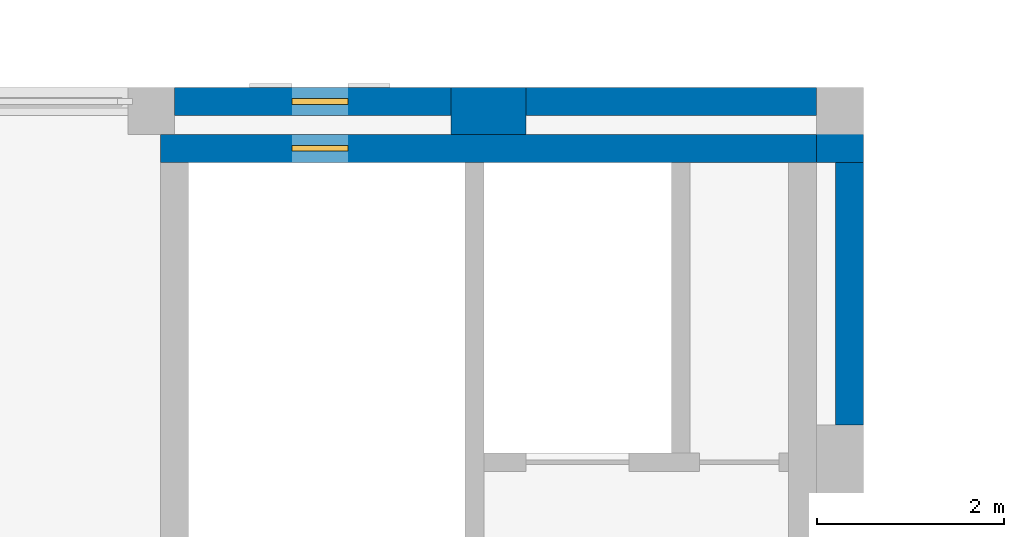
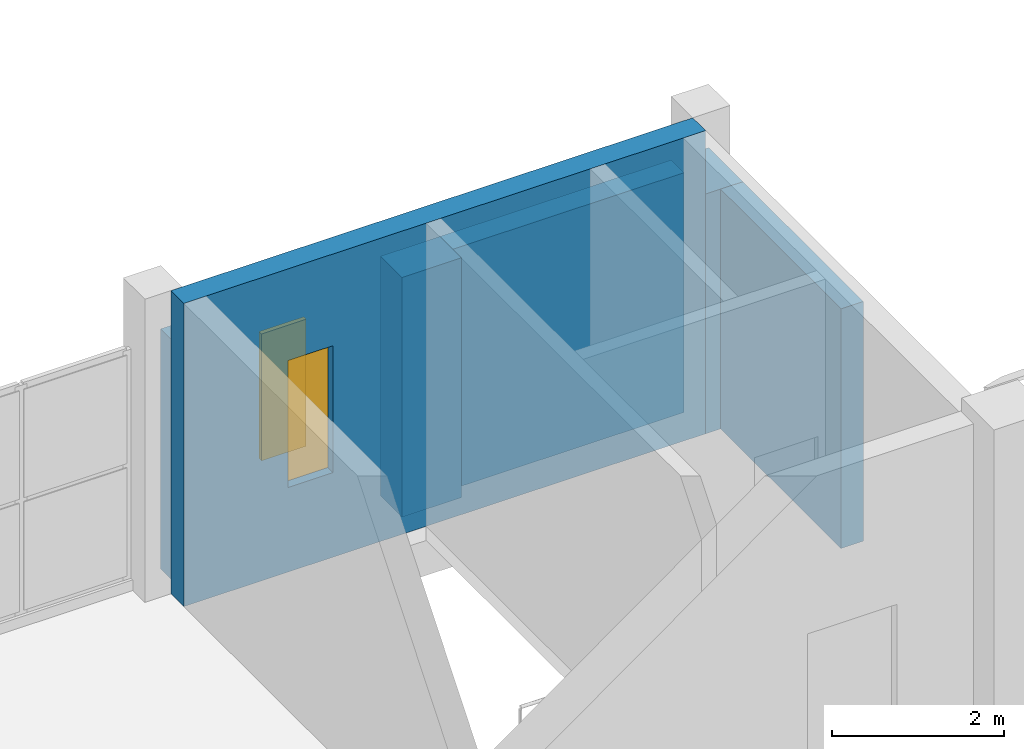
# One storey, part 23 of 54: 6 walls, 2 windows, 2 openings.
"""IFC4 building model written with IfcOpenShell, lengths in metres."""

from ifc_helpers import new_model, si_unit, direction, frame, frame_2d, origin, place, context, subcontext, project, spatial, rectangle, extrude, material, layer, layer_set, type_object, element, fill, save


model = new_model("IFC4")

# Units and contexts
model_context = context("Model", 3, precision=1e-05, world=origin(), true_north=direction((0.0, 1.0)))
body_context = subcontext(model_context, "Body", "Model", "MODEL_VIEW")
ifc_project = project(units=[si_unit("LENGTHUNIT", "METRE"), si_unit("AREAUNIT", "SQUARE_METRE"), si_unit("VOLUMEUNIT", "CUBIC_METRE"), si_unit("PLANEANGLEUNIT", "RADIAN"), si_unit("MASSUNIT", "GRAM", prefix="KILO")], contexts=[model_context])

# Site, building, storey
site_placement = place(None, origin())
site = spatial("IfcSite", under=ifc_project, at=site_placement, CompositionType="ELEMENT")
building_placement = place(site_placement, origin())
building = spatial("IfcBuilding", under=site, at=building_placement, Name="Ussher Court Research Institute", CompositionType="ELEMENT")
storey_placement = place(building_placement, frame((0.0, 0.0, 14.39990234375)))
storey = spatial("IfcBuildingStorey", under=building, at=storey_placement, Name="L03", CompositionType="ELEMENT", Elevation=14.39990234375)

# Wall, opening, window
ifc_material_1 = material(Name="Limestone facing on blockwork", Category="masonry")
ifc_layer_1 = layer(ifc_material_1, 0.300048828125)
ifc_layer_set_1 = layer_set([ifc_layer_1], Name="Limestone facing on blockwork")
wall_type_1 = type_object("IfcWallType", Name="External wall 300 stair enclosure", PredefinedType="SOLIDWALL", material=ifc_layer_set_1)
wall_1_placement = place(storey_placement, frame((75.25, 40.25, 0.0), z_axis=(0.0, 0.0, 1.0), x_axis=(1.0, 0.0, 0.0)))
wall_1 = element("IfcWall", 1, at=wall_1_placement, inside=storey, type_object=wall_type_1, Name="External wall EW5 L03", PredefinedType="SOLIDWALL", context=body_context, shape_type="SweptSolid", body=[
    extrude(rectangle(XDim=2.949951171875, YDim=0.300048828125, at=frame_2d((1.47509765625, 0.0))), origin(), (0.0, 0.0, 1.0), 3.400146484375),
])
opening_1_placement = place(wall_1_placement, frame((1.25, 0.0, 1.199951171875)))
opening_1 = element("IfcOpeningElement", 2, at=opening_1_placement, cuts=wall_1, Name="Opening W25", PredefinedType="OPENING", context=body_context, shape_type="SweptSolid", body=[
    extrude(rectangle(XDim=0.60009765625, YDim=1.800048828125, at=frame_2d((0.300048828125, 0.89990234375))), frame((0.0, 0.16015625, 0.0), z_axis=(0.0, -1.0, 0.0), x_axis=(1.0, 0.0, 0.0)), (0.0, 0.0, 1.0), 0.320068359375),
])
ifc_material_2 = material(Name="Bronze anodised aluminium with double glazing", Category="aluminium")
window_type = type_object("IfcWindowType", Name="Stair light slot window 600x1800 fire-resisting glazing", PartitioningType="SINGLE_PANEL", PredefinedType="WINDOW", material=ifc_material_2)
window_1_placement = place(opening_1_placement, origin())
window_1 = element("IfcWindow", 3, at=window_1_placement, inside=storey, type_object=window_type, Name="Window W25 L03", OverallHeight=1.800048828125, OverallWidth=0.60009765625, PartitioningType="SINGLE_PANEL", PredefinedType="WINDOW", context=body_context, shape_type="SweptSolid", body=[
    extrude(rectangle(XDim=0.60009765625, YDim=1.800048828125, at=frame_2d((0.300048828125, 0.89990234375))), frame((0.0, 0.030029296875, 0.0), z_axis=(0.0, -1.0, 0.0), x_axis=(1.0, 0.0, 0.0)), (0.0, 0.0, 1.0), 0.06005859375),
])
fill(opening_1, window_1)

# Walls
wall_2_placement = place(storey_placement, frame((79.0, 40.25, 0.0), z_axis=(0.0, 0.0, 1.0), x_axis=(1.0, 0.0, 0.0)))
element("IfcWall", 4, at=wall_2_placement, inside=storey, type_object=wall_type_1, Name="External wall EW5 L03", PredefinedType="SOLIDWALL", context=body_context, shape_type="SweptSolid", body=[
    extrude(rectangle(XDim=3.10009765625, YDim=0.300048828125, at=frame_2d((1.550048828125, 0.0))), origin(), (0.0, 0.0, 1.0), 3.400146484375),
])
wall_3_placement = place(storey_placement, frame((82.449951171875, 39.60009765625, 0.0), z_axis=(0.0, 0.0, 1.0), x_axis=(0.0, -1.0, 0.0)))
element("IfcWall", 5, at=wall_3_placement, inside=storey, type_object=wall_type_1, Name="External wall EW5 L03", PredefinedType="SOLIDWALL", context=body_context, shape_type="SweptSolid", body=[
    extrude(rectangle(XDim=2.800048828125, YDim=0.300048828125, at=frame_2d((1.39990234375, 0.0))), origin(), (0.0, 0.0, 1.0), 3.400146484375),
])
ifc_material_3 = material(Name="Rusticated limestone facing on blockwork", Category="masonry")
ifc_layer_2 = layer(ifc_material_3, 0.5)
ifc_layer_set_2 = layer_set([ifc_layer_2], Name="Rusticated limestone facing on blockwork")
wall_type_2 = type_object("IfcWallType", Name="Pier 800x500 rusticated limestone", PredefinedType="SOLIDWALL", material=ifc_layer_set_2)
wall_4_placement = place(storey_placement, frame((78.199951171875, 40.14990234375, 0.0), z_axis=(0.0, 0.0, 1.0), x_axis=(1.0, 0.0, 0.0)))
element("IfcWall", 6, at=wall_4_placement, inside=storey, type_object=wall_type_2, Name="Pier PR2 L03", PredefinedType="SOLIDWALL", context=body_context, shape_type="SweptSolid", body=[
    extrude(rectangle(XDim=0.800048828125, YDim=0.5, at=frame_2d((0.39990234375, 0.0))), origin(), (0.0, 0.0, 1.0), 3.400146484375),
])
wall_5_placement = place(storey_placement, frame((82.35009765625, 40.39990234375, 0.0), z_axis=(0.0, 0.0, 1.0), x_axis=(0.0, -1.0, 0.0)))
element("IfcWall", 7, at=wall_5_placement, inside=storey, type_object=wall_type_2, Name="Pier PR2 L03", PredefinedType="SOLIDWALL", context=body_context, shape_type="SweptSolid", body=[
    extrude(rectangle(XDim=0.7998046875, YDim=0.5, at=frame_2d((0.39990234375, 0.0))), origin(), (0.0, 0.0, 1.0), 3.400146484375),
])

# Wall, opening, window
ifc_material_4 = material(Name="Concrete C35/45", Category="concrete")
ifc_layer_3 = layer(ifc_material_4, 0.300048828125)
ifc_layer_set_3 = layer_set([ifc_layer_3], Name="Concrete C35/45")
wall_type_3 = type_object("IfcWallType", Name="RC core wall 300", PredefinedType="SHEAR", material=ifc_layer_set_3)
wall_6_placement = place(storey_placement, frame((75.10009765625, 39.75, 0.0), z_axis=(0.0, 0.0, 1.0), x_axis=(1.0, 0.0, 0.0)))
wall_6 = element("IfcWall", 8, at=wall_6_placement, inside=storey, type_object=wall_type_3, Name="Core wall E1", PredefinedType="SHEAR", context=body_context, shape_type="SweptSolid", body=[
    extrude(rectangle(XDim=7.0, YDim=0.300048828125, at=frame_2d((3.5, 0.0))), origin(), (0.0, 0.0, 1.0), 4.300048828125),
])
opening_2_placement = place(wall_6_placement, frame((1.39990234375, 0.0, 1.199951171875)))
opening_2 = element("IfcOpeningElement", 9, at=opening_2_placement, cuts=wall_6, Name="Opening W25", PredefinedType="OPENING", context=body_context, shape_type="SweptSolid", body=[
    extrude(rectangle(XDim=0.60009765625, YDim=1.800048828125, at=frame_2d((0.300048828125, 0.89990234375))), frame((0.0, 0.16015625, 0.0), z_axis=(0.0, -1.0, 0.0), x_axis=(1.0, 0.0, 0.0)), (0.0, 0.0, 1.0), 0.320068359375),
])
window_2_placement = place(opening_2_placement, origin())
window_2 = element("IfcWindow", 10, at=window_2_placement, inside=storey, type_object=window_type, Name="Window stair light E1 L03", OverallHeight=1.800048828125, OverallWidth=0.60009765625, PartitioningType="SINGLE_PANEL", PredefinedType="WINDOW", context=body_context, shape_type="SweptSolid", body=[
    extrude(rectangle(XDim=0.60009765625, YDim=1.800048828125, at=frame_2d((0.300048828125, 0.89990234375))), frame((0.0, 0.030029296875, 0.0), z_axis=(0.0, -1.0, 0.0), x_axis=(1.0, 0.0, 0.0)), (0.0, 0.0, 1.0), 0.06005859375),
])
fill(opening_2, window_2)

save(model, "model.ifc")
